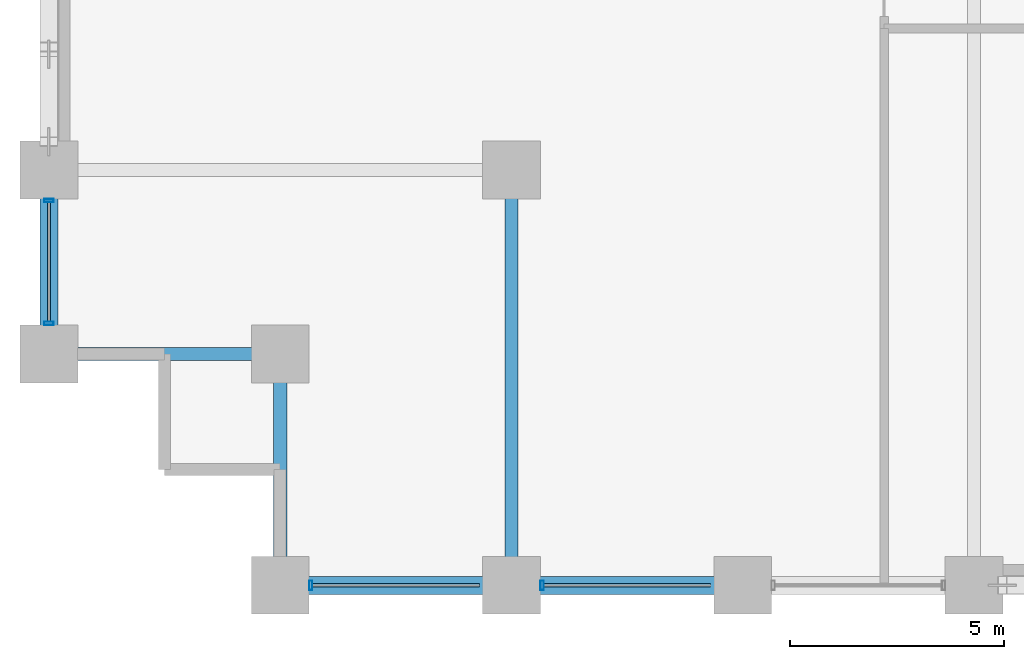
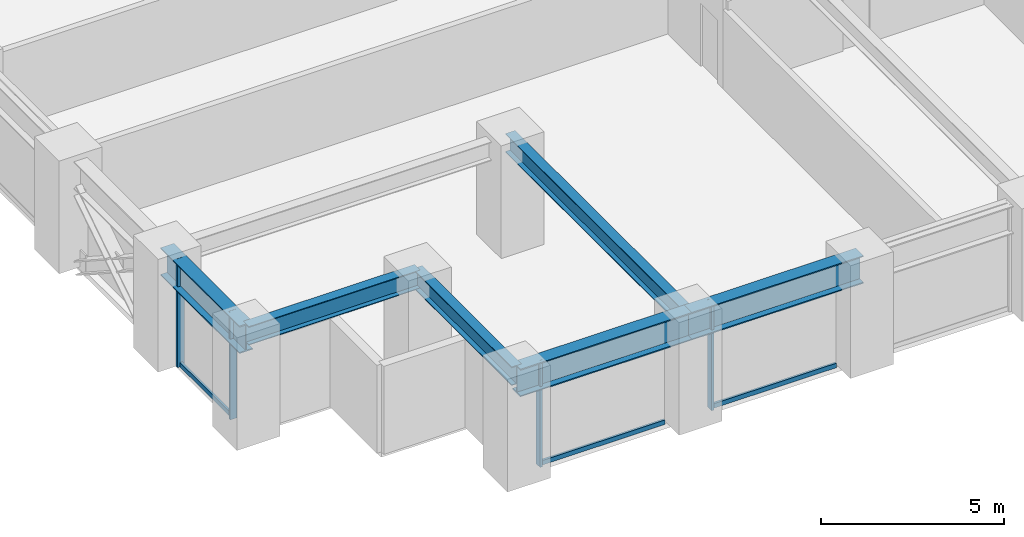
# One storey, part 2 of 24: 7 members, 6 beams, 2 elements without a shape of their own.
"""IFC4 building model written with IfcOpenShell, lengths in metres."""

from ifc_helpers import new_model, si_unit, direction, frame, origin, origin_2d, place, context, subcontext, project, spatial, hollow_rectangle, i_section, extrude, material, layer, layer_set, material_profile, profile_set, type_object, element, aggregate, save


model = new_model("IFC4")

# Units and contexts
model_context = context("Model", 3, precision=1e-05, world=origin(), true_north=direction((0.0, 1.0)))
body_context = subcontext(model_context, "Body", "Model", "MODEL_VIEW")
ifc_project = project(units=[si_unit("LENGTHUNIT", "METRE"), si_unit("AREAUNIT", "SQUARE_METRE"), si_unit("VOLUMEUNIT", "CUBIC_METRE"), si_unit("PLANEANGLEUNIT", "RADIAN"), si_unit("MASSUNIT", "GRAM", prefix="KILO")], contexts=[model_context])

# Site, building, storey
site_placement = place(None, origin())
site = spatial("IfcSite", under=ifc_project, at=site_placement, CompositionType="ELEMENT")
building_placement = place(site_placement, origin())
building = spatial("IfcBuilding", under=site, at=building_placement, Name="Surkhivell Harbour Commons", CompositionType="ELEMENT")
storey_placement = place(building_placement, frame((0.0, 0.0, 30.0)))
storey = spatial("IfcBuildingStorey", under=building, at=storey_placement, Name="L07", CompositionType="ELEMENT", Elevation=30.0)

# Beams
ifc_material_1 = material(Name="Steel S355", Category="steel")
ifc_material_profile_1 = material_profile(ifc_material_1, i_section(OverallWidth=0.306884765625, OverallDepth=0.6201171875, WebThickness=0.01416015625, FlangeThickness=0.023681640625, at=origin_2d()), Name="UB610x305x179")
ifc_profile_set_1 = profile_set([ifc_material_profile_1], Name="Steel S355")
beam_type_1 = type_object("IfcBeamType", Name="BM-GRD-610A", PredefinedType="BEAM", material=ifc_profile_set_1)
for number, where, z_axis, x_axis, name in (
    (1, (-32.39990234375, -20.5, 3.260009765625), (1.0, 0.0, 0.0), (0.0, 1.0, 0.0), "L07 Floor Girder (-32.4,-20.5)"),
    (2, (-27.0, -25.89990234375, 3.260009765625), (0.0, 1.0, 0.0), (-1.0, 0.0, 0.0), "L07 Floor Girder (-27.0,-25.9)"),
):
    element("IfcBeam", number, at=place(storey_placement, frame(where, z_axis=z_axis, x_axis=x_axis)), inside=storey, type_object=beam_type_1, Name=name, PredefinedType="BEAM", context=body_context, shape_type="SweptSolid", body=[
        extrude(i_section(OverallWidth=0.306884765625, OverallDepth=0.6201171875, WebThickness=0.01416015625, FlangeThickness=0.023681640625, at=origin_2d()), origin(), (0.0, 0.0, 1.0), 5.39990234375),
    ])
beam_1_placement = place(storey_placement, frame((-21.60009765625, -25.89990234375, 3.260009765625), z_axis=(0.0, 1.0, 0.0), x_axis=(-1.0, 0.0, 0.0)))
element("IfcBeam", 3, at=beam_1_placement, inside=storey, type_object=beam_type_1, Name="L07 Floor Girder (-21.6,-25.9)", PredefinedType="BEAM", context=body_context, shape_type="SweptSolid", body=[
    extrude(i_section(OverallWidth=0.306884765625, OverallDepth=0.6201171875, WebThickness=0.01416015625, FlangeThickness=0.023681640625, at=origin_2d()), origin(), (0.0, 0.0, 1.0), 9.699951171875),
])
ifc_material_2 = material(Name="Steel S460", Category="steel")
ifc_material_profile_2 = material_profile(ifc_material_2, i_section(OverallWidth=0.419921875, OverallDepth=0.9208984375, WebThickness=0.021484375, FlangeThickness=0.03662109375, at=origin_2d()), Name="UB914x419x388")
ifc_profile_set_2 = profile_set([ifc_material_profile_2], Name="Steel S460")
beam_type_2 = type_object("IfcBeamType", Name="BM-SPN-914A", PredefinedType="SPANDREL", material=ifc_profile_set_2)
beam_2_placement = place(storey_placement, frame((-32.39990234375, -20.5, 3.109619140625), z_axis=(0.0, 1.0, 0.0), x_axis=(-1.0, 0.0, 0.0)))
element("IfcBeam", 4, at=beam_2_placement, inside=storey, type_object=beam_type_2, Name="L07 Tube Spandrel (-32.4,-20.5)", PredefinedType="SPANDREL", context=body_context, shape_type="SweptSolid", body=[
    extrude(i_section(OverallWidth=0.419921875, OverallDepth=0.9208984375, WebThickness=0.021484375, FlangeThickness=0.03662109375, at=origin_2d()), origin(), (0.0, 0.0, 1.0), 4.300048828125),
])
beam_3_placement = place(storey_placement, frame((-27.0, -25.89990234375, 3.109619140625), z_axis=(1.0, 0.0, 0.0), x_axis=(0.0, 1.0, 0.0)))
element("IfcBeam", 5, at=beam_3_placement, inside=storey, type_object=beam_type_2, Name="L07 Tube Spandrel (-27.0,-25.9)", PredefinedType="SPANDREL", context=body_context, shape_type="SweptSolid", body=[
    extrude(i_section(OverallWidth=0.419921875, OverallDepth=0.9208984375, WebThickness=0.021484375, FlangeThickness=0.03662109375, at=origin_2d()), origin(), (0.0, 0.0, 1.0), 5.39990234375),
])
beam_4_placement = place(storey_placement, frame((-21.60009765625, -25.89990234375, 3.109619140625), z_axis=(1.0, 0.0, 0.0), x_axis=(0.0, 1.0, 0.0)))
element("IfcBeam", 6, at=beam_4_placement, inside=storey, type_object=beam_type_2, Name="L07 Tube Spandrel (-21.6,-25.9)", PredefinedType="SPANDREL", context=body_context, shape_type="SweptSolid", body=[
    extrude(i_section(OverallWidth=0.419921875, OverallDepth=0.9208984375, WebThickness=0.021484375, FlangeThickness=0.03662109375, at=origin_2d()), origin(), (0.0, 0.0, 1.0), 5.400146484375),
])

# Curtain wall, members
ifc_material_3 = material(Name="Anodised pale-metal aluminium and insulated glazing", Category="aluminium")
ifc_layer = layer(ifc_material_3, 0.219970703125)
ifc_layer_set = layer_set([ifc_layer], Name="Anodised pale-metal aluminium and insulated glazing")
curtain_wall_type = type_object("IfcCurtainWallType", Name="CW-SYS-Z1", PredefinedType="NOTDEFINED", material=ifc_layer_set)
curtain_wall_1_placement = place(storey_placement, origin())
curtain_wall_1 = element("IfcCurtainWall", 7, at=curtain_wall_1_placement, inside=storey, type_object=curtain_wall_type, Name="L07 Curtain Wall CW-L07-E00S1", PredefinedType="NOTDEFINED")
ifc_material_4 = material(Name="Anodised pale-metal aluminium alloy 6063-T6", Category="aluminium")
ifc_material_profile_3 = material_profile(ifc_material_4, hollow_rectangle(XDim=0.074951171875, YDim=0.219970703125, WallThickness=0.00390625, at=origin_2d()), Name="ALU-MULL-75x220")
ifc_profile_set_3 = profile_set([ifc_material_profile_3], Name="Anodised pale-metal aluminium alloy 6063-T6")
member_type_1 = type_object("IfcMemberType", Name="CWM-220", PredefinedType="MULLION", material=ifc_profile_set_3)
member_1_placement = place(storey_placement, frame((-26.285400390625, -25.89990234375, 0.0), z_axis=(0.0, 0.0, 1.0), x_axis=(1.0, 0.0, 0.0)))
member_1 = element("IfcMember", 8, at=member_1_placement, type_object=member_type_1, Name="CW-Z1 mullion 1", PredefinedType="MULLION", context=body_context, shape_type="SweptSolid", body=[
    extrude(hollow_rectangle(XDim=0.074951171875, YDim=0.219970703125, WallThickness=0.00390625, at=origin_2d()), origin(), (0.0, 0.0, 1.0), 3.570068359375),
])
member_2_placement = place(storey_placement, frame((-20.885498046875, -25.89990234375, 0.0), z_axis=(0.0, 0.0, 1.0), x_axis=(1.0, 0.0, 0.0)))
member_2 = element("IfcMember", 9, at=member_2_placement, type_object=member_type_1, Name="CW-Z1 mullion 2", PredefinedType="MULLION", context=body_context, shape_type="SweptSolid", body=[
    extrude(hollow_rectangle(XDim=0.074951171875, YDim=0.219970703125, WallThickness=0.00390625, at=origin_2d()), origin(), (0.0, 0.0, 1.0), 3.570068359375),
])

curtain_wall_2_placement = place(storey_placement, origin())
curtain_wall_2 = element("IfcCurtainWall", 10, at=curtain_wall_2_placement, inside=storey, type_object=curtain_wall_type, Name="L07 Curtain Wall CW-L07-E12S2", PredefinedType="NOTDEFINED")
member_3_placement = place(storey_placement, frame((-32.39990234375, -16.91455078125, 0.0), z_axis=(0.0, 0.0, 1.0), x_axis=(0.0, -1.0, 0.0)))
member_3 = element("IfcMember", 11, at=member_3_placement, type_object=member_type_1, Name="CW-Z1 mullion 1", PredefinedType="MULLION", context=body_context, shape_type="SweptSolid", body=[
    extrude(hollow_rectangle(XDim=0.074951171875, YDim=0.219970703125, WallThickness=0.00390625, at=origin_2d()), origin(), (0.0, 0.0, 1.0), 3.570068359375),
])
member_4_placement = place(storey_placement, frame((-32.39990234375, -19.785400390625, 0.0), z_axis=(0.0, 0.0, 1.0), x_axis=(0.0, -1.0, 0.0)))
member_4 = element("IfcMember", 12, at=member_4_placement, type_object=member_type_1, Name="CW-Z1 mullion 2", PredefinedType="MULLION", context=body_context, shape_type="SweptSolid", body=[
    extrude(hollow_rectangle(XDim=0.074951171875, YDim=0.219970703125, WallThickness=0.00390625, at=origin_2d()), origin(), (0.0, 0.0, 1.0), 3.570068359375),
])

# Member
ifc_material_profile_4 = material_profile(ifc_material_4, hollow_rectangle(XDim=0.074951171875, YDim=0.14990234375, WallThickness=0.00341796875, at=origin_2d()), Name="ALU-TRAN-75x150")
ifc_profile_set_4 = profile_set([ifc_material_profile_4], Name="Anodised pale-metal aluminium alloy 6063-T6")
member_type_2 = type_object("IfcMemberType", Name="CWT-150", PredefinedType="USERDEFINED", material=ifc_profile_set_4)
member_5_placement = place(storey_placement, frame((-26.248046875, -25.89990234375, 0.074951171875), z_axis=(1.0, 0.0, 0.0), x_axis=(0.0, 1.0, 0.0)))
member_5 = element("IfcMember", 13, at=member_5_placement, type_object=member_type_2, Name="CW-Z1 transom 1.1", ObjectType="TRANSOM", PredefinedType="USERDEFINED", context=body_context, shape_type="SweptSolid", body=[
    extrude(hollow_rectangle(XDim=0.074951171875, YDim=0.14990234375, WallThickness=0.00341796875, at=origin_2d()), origin(), (0.0, 0.0, 1.0), 3.89599609375),
])

member_6_placement = place(storey_placement, frame((-20.847900390625, -25.89990234375, 0.074951171875), z_axis=(1.0, 0.0, 0.0), x_axis=(0.0, 1.0, 0.0)))
member_6 = element("IfcMember", 14, at=member_6_placement, type_object=member_type_2, Name="CW-Z1 transom 2.1", ObjectType="TRANSOM", PredefinedType="USERDEFINED", context=body_context, shape_type="SweptSolid", body=[
    extrude(hollow_rectangle(XDim=0.074951171875, YDim=0.14990234375, WallThickness=0.00341796875, at=origin_2d()), origin(), (0.0, 0.0, 1.0), 3.89599609375),
])

aggregate(curtain_wall_1, [member_1, member_5, member_2, member_6])

member_7_placement = place(storey_placement, frame((-32.39990234375, -16.951904296875, 0.074951171875), z_axis=(0.0, -1.0, 0.0), x_axis=(1.0, 0.0, 0.0)))
member_7 = element("IfcMember", 15, at=member_7_placement, type_object=member_type_2, Name="CW-Z1 transom 1.1", ObjectType="TRANSOM", PredefinedType="USERDEFINED", context=body_context, shape_type="SweptSolid", body=[
    extrude(hollow_rectangle(XDim=0.074951171875, YDim=0.14990234375, WallThickness=0.00341796875, at=origin_2d()), origin(), (0.0, 0.0, 1.0), 2.796142578125),
])

aggregate(curtain_wall_2, [member_3, member_4, member_7])

save(model, "model.ifc")
